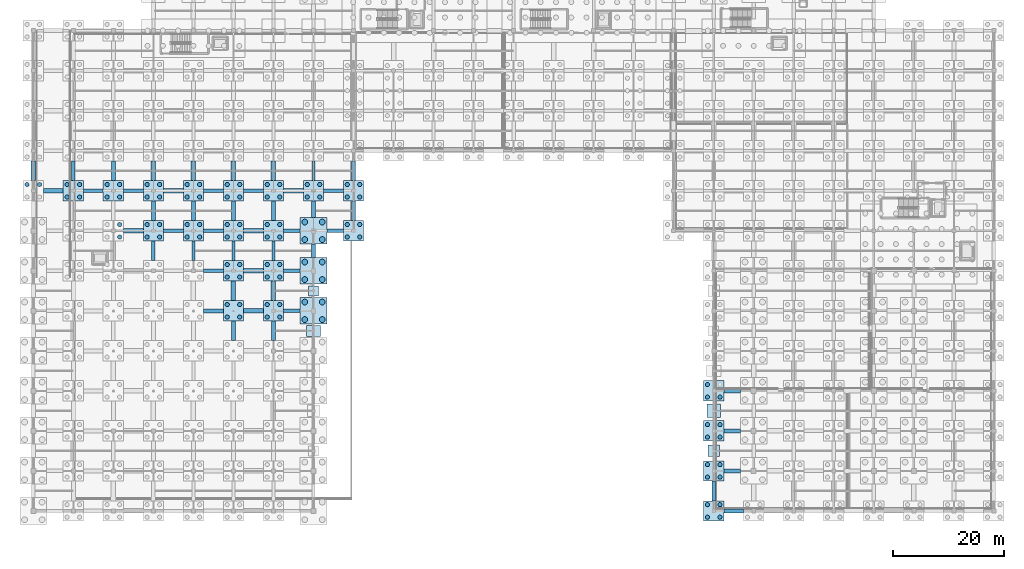
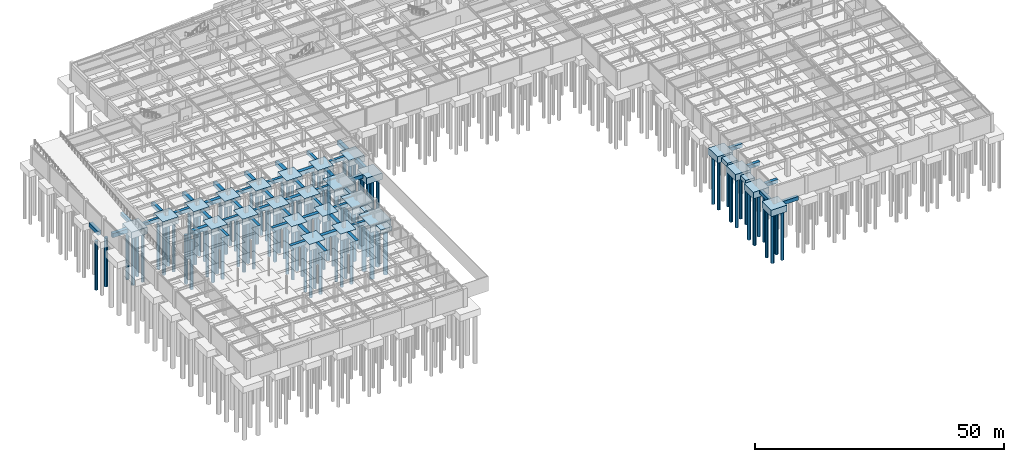
# One storey, part 3 of 48: 99 piles, 77 footings.
"""IFC4 building model written with IfcOpenShell, lengths in metres."""

from ifc_helpers import new_model, si_unit, direction, frame, origin, origin_2d, place, context, subcontext, project, spatial, rectangle, circle, extrude, material, material_profile, profile_set, type_object, element, save


model = new_model("IFC4")

# Units and contexts
model_context = context("Model", 3, precision=1e-05, world=origin(), true_north=direction((0.0, 1.0)))
body_context = subcontext(model_context, "Body", "Model", "MODEL_VIEW")
ifc_project = project(units=[si_unit("LENGTHUNIT", "METRE"), si_unit("AREAUNIT", "SQUARE_METRE"), si_unit("VOLUMEUNIT", "CUBIC_METRE"), si_unit("PLANEANGLEUNIT", "RADIAN"), si_unit("MASSUNIT", "GRAM", prefix="KILO")], contexts=[model_context])

# Site, building, storey
site_placement = place(None, origin())
site = spatial("IfcSite", under=ifc_project, at=site_placement, CompositionType="ELEMENT")
building_placement = place(site_placement, origin())
building = spatial("IfcBuilding", under=site, at=building_placement, Name="Carrowvane Square Congress Hotel", CompositionType="ELEMENT")
storey_placement = place(building_placement, frame((0.0, 0.0, -4.5)))
storey = spatial("IfcBuildingStorey", under=building, at=storey_placement, Name="B01", CompositionType="ELEMENT", Elevation=-4.5)

# Footings
ifc_material_1 = material(Name="Concrete C35/45", Category="concrete")
ifc_material_profile_1 = material_profile(ifc_material_1, rectangle(XDim=0.60009765625, YDim=0.800048828125, at=origin_2d()), Name="RC 600x800")
ifc_profile_set_1 = profile_set([ifc_material_profile_1], Name="Concrete C35/45")
footing_type_1 = type_object("IfcFootingType", Name="FTG-BM-600x800", PredefinedType="FOOTING_BEAM", material=ifc_profile_set_1)
for number, where, z_axis, x_axis, name in (
    (1, (18.800048828125, 64.824951171875, -0.39990234375), (0.0, 1.0, 0.0), (-1.0, 0.0, 0.0), "Ground tie beam 21"),
    (2, (33.199951171875, 50.425048828125, -0.39990234375), (0.0, 1.0, 0.0), (-1.0, 0.0, 0.0), "Ground tie beam 43"),
    (3, (40.39990234375, 50.425048828125, -0.39990234375), (0.0, 1.0, 0.0), (-1.0, 0.0, 0.0), "Ground tie beam 57"),
    (4, (47.60009765625, 50.425048828125, -0.39990234375), (0.0, 1.0, 0.0), (-1.0, 0.0, 0.0), "Ground tie beam 71"),
    (5, (54.800048828125, 50.425048828125, -0.39990234375), (0.0, 1.0, 0.0), (-1.0, 0.0, 0.0), "Ground tie beam 85"),
    (6, (62.0, 64.824951171875, -0.39990234375), (0.0, 1.0, 0.0), (-1.0, 0.0, 0.0), "Ground tie beam 96"),
):
    element("IfcFooting", number, at=place(storey_placement, frame(where, z_axis=z_axis, x_axis=x_axis)), inside=storey, type_object=footing_type_1, Name=name, PredefinedType="FOOTING_BEAM", context=body_context, shape_type="SweptSolid", body=[
        extrude(rectangle(XDim=0.60009765625, YDim=0.800048828125, at=origin_2d()), origin(), (0.0, 0.0, 1.0), 3.550048828125),
    ])
for number, where, z_axis, x_axis, name in (
    (7, (56.625, 41.39990234375, -0.39990234375), (1.0, 0.0, 0.0), (0.0, 1.0, 0.0), "Ground tie beam 320"),
    (8, (56.625, 48.60009765625, -0.39990234375), (1.0, 0.0, 0.0), (0.0, 1.0, 0.0), "Ground tie beam 334"),
):
    element("IfcFooting", number, at=place(storey_placement, frame(where, z_axis=z_axis, x_axis=x_axis)), inside=storey, type_object=footing_type_1, Name=name, PredefinedType="FOOTING_BEAM", context=body_context, shape_type="SweptSolid", body=[
        extrude(rectangle(XDim=0.60009765625, YDim=0.800048828125, at=origin_2d()), origin(), (0.0, 0.0, 1.0), 2.97509765625),
    ])
footing_1_placement = place(storey_placement, frame((35.02490234375, 55.800048828125, -0.39990234375), z_axis=(1.0, 0.0, 0.0), x_axis=(0.0, 1.0, 0.0)))
element("IfcFooting", 9, at=footing_1_placement, inside=storey, type_object=footing_type_1, Name="Ground tie beam 342", PredefinedType="FOOTING_BEAM", context=body_context, shape_type="SweptSolid", body=[
    extrude(rectangle(XDim=0.60009765625, YDim=0.800048828125, at=origin_2d()), origin(), (0.0, 0.0, 1.0), 3.550048828125),
])
footing_2_placement = place(storey_placement, frame((56.625, 55.800048828125, -0.39990234375), z_axis=(1.0, 0.0, 0.0), x_axis=(0.0, 1.0, 0.0)))
element("IfcFooting", 10, at=footing_2_placement, inside=storey, type_object=footing_type_1, Name="Ground tie beam 345", PredefinedType="FOOTING_BEAM", context=body_context, shape_type="SweptSolid", body=[
    extrude(rectangle(XDim=0.60009765625, YDim=0.800048828125, at=origin_2d()), origin(), (0.0, 0.0, 1.0), 2.97509765625),
])
footing_3_placement = place(storey_placement, frame((20.625, 63.0, -0.39990234375), z_axis=(1.0, 0.0, 0.0), x_axis=(0.0, 1.0, 0.0)))
element("IfcFooting", 11, at=footing_3_placement, inside=storey, type_object=footing_type_1, Name="Ground tie beam 353", PredefinedType="FOOTING_BEAM", context=body_context, shape_type="SweptSolid", body=[
    extrude(rectangle(XDim=0.60009765625, YDim=0.800048828125, at=origin_2d()), origin(), (0.0, 0.0, 1.0), 3.550048828125),
])
footing_4_placement = place(storey_placement, frame((42.22509765625, 63.0, -0.39990234375), z_axis=(1.0, 0.0, 0.0), x_axis=(0.0, 1.0, 0.0)))
element("IfcFooting", 12, at=footing_4_placement, inside=storey, type_object=footing_type_1, Name="Ground tie beam 356", PredefinedType="FOOTING_BEAM", context=body_context, shape_type="SweptSolid", body=[
    extrude(rectangle(XDim=0.60009765625, YDim=0.800048828125, at=origin_2d()), origin(), (0.0, 0.0, 1.0), 3.5498046875),
])
footing_5_placement = place(storey_placement, frame((63.824951171875, 63.0, -0.39990234375), z_axis=(1.0, 0.0, 0.0), x_axis=(0.0, 1.0, 0.0)))
element("IfcFooting", 13, at=footing_5_placement, inside=storey, type_object=footing_type_1, Name="Ground tie beam 359", PredefinedType="FOOTING_BEAM", context=body_context, shape_type="SweptSolid", body=[
    extrude(rectangle(XDim=0.60009765625, YDim=0.800048828125, at=origin_2d()), origin(), (0.0, 0.0, 1.0), 3.550048828125),
])
ifc_material_2 = material(Name="Concrete C35/45", Category="concrete")
ifc_material_profile_2 = material_profile(ifc_material_2, rectangle(XDim=0.699951171875, YDim=0.89990234375, at=origin_2d()), Name="RC 700x900")
ifc_profile_set_2 = profile_set([ifc_material_profile_2], Name="Concrete C35/45")
footing_type_2 = type_object("IfcFootingType", Name="FTG-BM-700x900", PredefinedType="FOOTING_BEAM", material=ifc_profile_set_2)
for number, where, z_axis, x_axis, name in (
    (14, (26.0, 64.824951171875, -0.449951171875), (0.0, 1.0, 0.0), (-1.0, 0.0, 0.0), "Ground tie beam 33"),
    (15, (33.199951171875, 57.625, -0.449951171875), (0.0, 1.0, 0.0), (-1.0, 0.0, 0.0), "Ground tie beam 44"),
    (16, (40.39990234375, 57.625, -0.449951171875), (0.0, 1.0, 0.0), (-1.0, 0.0, 0.0), "Ground tie beam 58"),
    (17, (47.60009765625, 36.02490234375, -0.449951171875), (0.0, 1.0, 0.0), (-1.0, 0.0, 0.0), "Ground tie beam 69"),
    (18, (47.60009765625, 57.625, -0.449951171875), (0.0, 1.0, 0.0), (-1.0, 0.0, 0.0), "Ground tie beam 72"),
    (19, (54.800048828125, 36.02490234375, -0.449951171875), (0.0, 1.0, 0.0), (-1.0, 0.0, 0.0), "Ground tie beam 83"),
    (20, (54.800048828125, 57.625, -0.449951171875), (0.0, 1.0, 0.0), (-1.0, 0.0, 0.0), "Ground tie beam 86"),
):
    element("IfcFooting", number, at=place(storey_placement, frame(where, z_axis=z_axis, x_axis=x_axis)), inside=storey, type_object=footing_type_2, Name=name, PredefinedType="FOOTING_BEAM", context=body_context, shape_type="SweptSolid", body=[
        extrude(rectangle(XDim=0.699951171875, YDim=0.89990234375, at=origin_2d()), origin(), (0.0, 0.0, 1.0), 3.550048828125),
    ])
footing_6_placement = place(storey_placement, frame((62.0, 51.0, -0.449951171875), z_axis=(0.0, 1.0, 0.0), x_axis=(-1.0, 0.0, 0.0)))
element("IfcFooting", 21, at=footing_6_placement, inside=storey, type_object=footing_type_2, Name="Ground tie beam 94", PredefinedType="FOOTING_BEAM", context=body_context, shape_type="SweptSolid", body=[
    extrude(rectangle(XDim=0.699951171875, YDim=0.89990234375, at=origin_2d()), origin(), (0.0, 0.0, 1.0), 2.39990234375),
])
footing_7_placement = place(storey_placement, frame((69.199951171875, 57.625, -0.449951171875), z_axis=(0.0, 1.0, 0.0), x_axis=(-1.0, 0.0, 0.0)))
element("IfcFooting", 22, at=footing_7_placement, inside=storey, type_object=footing_type_2, Name="Ground tie beam 102", PredefinedType="FOOTING_BEAM", context=body_context, shape_type="SweptSolid", body=[
    extrude(rectangle(XDim=0.699951171875, YDim=0.89990234375, at=origin_2d()), origin(), (0.0, 0.0, 1.0), 3.550048828125),
])
footing_8_placement = place(storey_placement, frame((134.0, 7.22509765625, -0.449951171875), z_axis=(0.0, 1.0, 0.0), x_axis=(-1.0, 0.0, 0.0)))
element("IfcFooting", 23, at=footing_8_placement, inside=storey, type_object=footing_type_2, Name="Ground tie beam 147", PredefinedType="FOOTING_BEAM", context=body_context, shape_type="SweptSolid", body=[
    extrude(rectangle(XDim=0.699951171875, YDim=0.89990234375, at=origin_2d()), origin(), (0.0, 0.0, 1.0), 3.5498046875),
])
footing_9_placement = place(storey_placement, frame((135.824951171875, 5.39990234375, -0.449951171875), z_axis=(1.0, 0.0, 0.0), x_axis=(0.0, 1.0, 0.0)))
element("IfcFooting", 24, at=footing_9_placement, inside=storey, type_object=footing_type_2, Name="Ground tie beam 251", PredefinedType="FOOTING_BEAM", context=body_context, shape_type="SweptSolid", body=[
    extrude(rectangle(XDim=0.699951171875, YDim=0.89990234375, at=origin_2d()), origin(), (0.0, 0.0, 1.0), 3.550048828125),
])
for number, where, z_axis, x_axis, name in (
    (25, (135.824951171875, 12.60009765625, -0.449951171875), (1.0, 0.0, 0.0), (0.0, 1.0, 0.0), "Ground tie beam 265"),
    (26, (135.824951171875, 19.800048828125, -0.449951171875), (1.0, 0.0, 0.0), (0.0, 1.0, 0.0), "Ground tie beam 279"),
    (27, (135.824951171875, 27.0, -0.449951171875), (1.0, 0.0, 0.0), (0.0, 1.0, 0.0), "Ground tie beam 293"),
):
    element("IfcFooting", number, at=place(storey_placement, frame(where, z_axis=z_axis, x_axis=x_axis)), inside=storey, type_object=footing_type_2, Name=name, PredefinedType="FOOTING_BEAM", context=body_context, shape_type="SweptSolid", body=[
        extrude(rectangle(XDim=0.699951171875, YDim=0.89990234375, at=origin_2d()), origin(), (0.0, 0.0, 1.0), 2.97509765625),
    ])
for number, where, z_axis, x_axis, name in (
    (28, (42.22509765625, 41.39990234375, -0.449951171875), (1.0, 0.0, 0.0), (0.0, 1.0, 0.0), "Ground tie beam 318"),
    (29, (42.22509765625, 48.60009765625, -0.449951171875), (1.0, 0.0, 0.0), (0.0, 1.0, 0.0), "Ground tie beam 332"),
    (30, (42.22509765625, 55.800048828125, -0.449951171875), (1.0, 0.0, 0.0), (0.0, 1.0, 0.0), "Ground tie beam 343"),
):
    element("IfcFooting", number, at=place(storey_placement, frame(where, z_axis=z_axis, x_axis=x_axis)), inside=storey, type_object=footing_type_2, Name=name, PredefinedType="FOOTING_BEAM", context=body_context, shape_type="SweptSolid", body=[
        extrude(rectangle(XDim=0.699951171875, YDim=0.89990234375, at=origin_2d()), origin(), (0.0, 0.0, 1.0), 3.5498046875),
    ])
footing_10_placement = place(storey_placement, frame((64.39990234375, 55.800048828125, -0.449951171875), z_axis=(1.0, 0.0, 0.0), x_axis=(0.0, 1.0, 0.0)))
element("IfcFooting", 31, at=footing_10_placement, inside=storey, type_object=footing_type_2, Name="Ground tie beam 346", PredefinedType="FOOTING_BEAM", context=body_context, shape_type="SweptSolid", body=[
    extrude(rectangle(XDim=0.699951171875, YDim=0.89990234375, at=origin_2d()), origin(), (0.0, 0.0, 1.0), 2.97509765625),
])
for number, where, z_axis, x_axis, name in (
    (32, (27.824951171875, 63.0, -0.449951171875), (1.0, 0.0, 0.0), (0.0, 1.0, 0.0), "Ground tie beam 354"),
    (33, (49.425048828125, 63.0, -0.449951171875), (1.0, 0.0, 0.0), (0.0, 1.0, 0.0), "Ground tie beam 357"),
):
    element("IfcFooting", number, at=place(storey_placement, frame(where, z_axis=z_axis, x_axis=x_axis)), inside=storey, type_object=footing_type_2, Name=name, PredefinedType="FOOTING_BEAM", context=body_context, shape_type="SweptSolid", body=[
        extrude(rectangle(XDim=0.699951171875, YDim=0.89990234375, at=origin_2d()), origin(), (0.0, 0.0, 1.0), 3.550048828125),
    ])
ifc_material_3 = material(Name="Concrete C35/45", Category="concrete")
ifc_material_profile_3 = material_profile(ifc_material_3, rectangle(XDim=0.800048828125, YDim=1.0, at=origin_2d()), Name="RC 800x1000")
ifc_profile_set_3 = profile_set([ifc_material_profile_3], Name="Concrete C35/45")
footing_type_3 = type_object("IfcFootingType", Name="FTG-BM-800x1000", PredefinedType="FOOTING_BEAM", material=ifc_profile_set_3)
for number, where, z_axis, x_axis, name in (
    (34, (11.60009765625, 64.824951171875, -0.5), (0.0, 1.0, 0.0), (-1.0, 0.0, 0.0), "Ground tie beam 9"),
    (35, (33.199951171875, 64.824951171875, -0.5), (0.0, 1.0, 0.0), (-1.0, 0.0, 0.0), "Ground tie beam 45"),
    (36, (40.39990234375, 64.824951171875, -0.5), (0.0, 1.0, 0.0), (-1.0, 0.0, 0.0), "Ground tie beam 59"),
):
    element("IfcFooting", number, at=place(storey_placement, frame(where, z_axis=z_axis, x_axis=x_axis)), inside=storey, type_object=footing_type_3, Name=name, PredefinedType="FOOTING_BEAM", context=body_context, shape_type="SweptSolid", body=[
        extrude(rectangle(XDim=0.800048828125, YDim=1.0, at=origin_2d()), origin(), (0.0, 0.0, 1.0), 3.550048828125),
    ])
footing_11_placement = place(storey_placement, frame((47.60009765625, 43.22509765625, -0.5), z_axis=(0.0, 1.0, 0.0), x_axis=(-1.0, 0.0, 0.0)))
element("IfcFooting", 37, at=footing_11_placement, inside=storey, type_object=footing_type_3, Name="Ground tie beam 70", PredefinedType="FOOTING_BEAM", context=body_context, shape_type="SweptSolid", body=[
    extrude(rectangle(XDim=0.800048828125, YDim=1.0, at=origin_2d()), origin(), (0.0, 0.0, 1.0), 3.5498046875),
])
footing_12_placement = place(storey_placement, frame((47.60009765625, 64.824951171875, -0.5), z_axis=(0.0, 1.0, 0.0), x_axis=(-1.0, 0.0, 0.0)))
element("IfcFooting", 38, at=footing_12_placement, inside=storey, type_object=footing_type_3, Name="Ground tie beam 73", PredefinedType="FOOTING_BEAM", context=body_context, shape_type="SweptSolid", body=[
    extrude(rectangle(XDim=0.800048828125, YDim=1.0, at=origin_2d()), origin(), (0.0, 0.0, 1.0), 3.550048828125),
])
footing_13_placement = place(storey_placement, frame((54.800048828125, 43.22509765625, -0.5), z_axis=(0.0, 1.0, 0.0), x_axis=(-1.0, 0.0, 0.0)))
element("IfcFooting", 39, at=footing_13_placement, inside=storey, type_object=footing_type_3, Name="Ground tie beam 84", PredefinedType="FOOTING_BEAM", context=body_context, shape_type="SweptSolid", body=[
    extrude(rectangle(XDim=0.800048828125, YDim=1.0, at=origin_2d()), origin(), (0.0, 0.0, 1.0), 3.5498046875),
])
footing_14_placement = place(storey_placement, frame((54.800048828125, 64.824951171875, -0.5), z_axis=(0.0, 1.0, 0.0), x_axis=(-1.0, 0.0, 0.0)))
element("IfcFooting", 40, at=footing_14_placement, inside=storey, type_object=footing_type_3, Name="Ground tie beam 87", PredefinedType="FOOTING_BEAM", context=body_context, shape_type="SweptSolid", body=[
    extrude(rectangle(XDim=0.800048828125, YDim=1.0, at=origin_2d()), origin(), (0.0, 0.0, 1.0), 3.550048828125),
])
footing_15_placement = place(storey_placement, frame((62.0, 58.199951171875, -0.5), z_axis=(0.0, 1.0, 0.0), x_axis=(-1.0, 0.0, 0.0)))
element("IfcFooting", 41, at=footing_15_placement, inside=storey, type_object=footing_type_3, Name="Ground tie beam 95", PredefinedType="FOOTING_BEAM", context=body_context, shape_type="SweptSolid", body=[
    extrude(rectangle(XDim=0.800048828125, YDim=1.0, at=origin_2d()), origin(), (0.0, 0.0, 1.0), 2.97509765625),
])
for number, where, z_axis, x_axis, name in (
    (42, (69.199951171875, 64.824951171875, -0.5), (0.0, 1.0, 0.0), (-1.0, 0.0, 0.0), "Ground tie beam 103"),
    (43, (49.425048828125, 41.39990234375, -0.5), (1.0, 0.0, 0.0), (0.0, 1.0, 0.0), "Ground tie beam 319"),
    (44, (49.425048828125, 48.60009765625, -0.5), (1.0, 0.0, 0.0), (0.0, 1.0, 0.0), "Ground tie beam 333"),
    (45, (27.824951171875, 55.800048828125, -0.5), (1.0, 0.0, 0.0), (0.0, 1.0, 0.0), "Ground tie beam 341"),
    (46, (49.425048828125, 55.800048828125, -0.5), (1.0, 0.0, 0.0), (0.0, 1.0, 0.0), "Ground tie beam 344"),
    (47, (13.425048828125, 63.0, -0.5), (1.0, 0.0, 0.0), (0.0, 1.0, 0.0), "Ground tie beam 352"),
    (48, (35.02490234375, 63.0, -0.5), (1.0, 0.0, 0.0), (0.0, 1.0, 0.0), "Ground tie beam 355"),
    (49, (56.625, 63.0, -0.5), (1.0, 0.0, 0.0), (0.0, 1.0, 0.0), "Ground tie beam 358"),
):
    element("IfcFooting", number, at=place(storey_placement, frame(where, z_axis=z_axis, x_axis=x_axis)), inside=storey, type_object=footing_type_3, Name=name, PredefinedType="FOOTING_BEAM", context=body_context, shape_type="SweptSolid", body=[
        extrude(rectangle(XDim=0.800048828125, YDim=1.0, at=origin_2d()), origin(), (0.0, 0.0, 1.0), 3.550048828125),
    ])
ifc_material_4 = material(Name="Concrete C35/45", Category="concrete")
footing_type_4 = type_object("IfcFootingType", Name="FTG-PAD-1800", PredefinedType="PAD_FOOTING", material=ifc_material_4)
footing_16_placement = place(storey_placement, frame((62.0, 45.0, -0.89990234375), z_axis=(0.0, 0.0, 1.0), x_axis=(1.0, 0.0, 0.0)))
element("IfcFooting", 50, at=footing_16_placement, inside=storey, type_object=footing_type_4, Name="Colonnade pad footing 5", PredefinedType="PAD_FOOTING", context=body_context, shape_type="SweptSolid", body=[
    extrude(rectangle(XDim=1.800048828125, YDim=1.800048828125, at=origin_2d()), origin(), (0.0, 0.0, 1.0), 0.89990234375),
])
ifc_material_5 = material(Name="Concrete C35/45", Category="concrete")
footing_type_5 = type_object("IfcFootingType", Name="FTG-PAD-2100", PredefinedType="PAD_FOOTING", material=ifc_material_5)
footing_17_placement = place(storey_placement, frame((134.0, 16.199951171875, -1.0), z_axis=(0.0, 0.0, 1.0), x_axis=(1.0, 0.0, 0.0)))
element("IfcFooting", 51, at=footing_17_placement, inside=storey, type_object=footing_type_5, Name="Colonnade pad footing 6", PredefinedType="PAD_FOOTING", context=body_context, shape_type="SweptSolid", body=[
    extrude(rectangle(XDim=2.10009765625, YDim=2.10009765625, at=origin_2d()), origin(), (0.0, 0.0, 1.0), 1.0),
])
ifc_material_6 = material(Name="Concrete C35/45", Category="concrete")
footing_type_6 = type_object("IfcFootingType", Name="FTG-PAD-2400", PredefinedType="PAD_FOOTING", material=ifc_material_6)
footing_18_placement = place(storey_placement, frame((134.0, 23.39990234375, -1.10009765625), z_axis=(0.0, 0.0, 1.0), x_axis=(1.0, 0.0, 0.0)))
element("IfcFooting", 52, at=footing_18_placement, inside=storey, type_object=footing_type_6, Name="Colonnade pad footing 7", PredefinedType="PAD_FOOTING", context=body_context, shape_type="SweptSolid", body=[
    extrude(rectangle(XDim=2.39990234375, YDim=2.39990234375, at=origin_2d()), origin(), (0.0, 0.0, 1.0), 1.10009765625),
])
ifc_material_7 = material(Name="Concrete C35/45", Category="concrete")
footing_type_7 = type_object("IfcFootingType", Name="FTG-PAD-2600x2000", PredefinedType="PAD_FOOTING", material=ifc_material_7)
footing_19_placement = place(storey_placement, frame((62.0, 37.800048828125, -1.0), z_axis=(0.0, 0.0, 1.0), x_axis=(1.0, 0.0, 0.0)))
element("IfcFooting", 53, at=footing_19_placement, inside=storey, type_object=footing_type_7, Name="Colonnade pad footing 4", PredefinedType="PAD_FOOTING", context=body_context, shape_type="SweptSolid", body=[
    extrude(rectangle(XDim=2.60009765625, YDim=2.0, at=origin_2d()), origin(), (0.0, 0.0, 1.0), 1.0),
])
ifc_material_8 = material(Name="Concrete C35/45", Category="concrete")
footing_type_8 = type_object("IfcFootingType", Name="FTG-PC-01", PredefinedType="PILE_CAP", material=ifc_material_8)
for number, where, z_axis, x_axis, name in (
    (54, (62.0, 41.39990234375, -1.60009765625), (0.0, 0.0, 1.0), (1.0, 0.0, 0.0), "B01 PC-1 82"),
    (55, (62.0, 48.60009765625, -1.60009765625), (0.0, 0.0, 1.0), (1.0, 0.0, 0.0), "B01 PC-1 98"),
    (56, (62.0, 55.800048828125, -1.60009765625), (0.0, 0.0, 1.0), (1.0, 0.0, 0.0), "B01 PC-1 112"),
):
    element("IfcFooting", number, at=place(storey_placement, frame(where, z_axis=z_axis, x_axis=x_axis)), inside=storey, type_object=footing_type_8, Name=name, PredefinedType="PILE_CAP", context=body_context, shape_type="SweptSolid", body=[
        extrude(rectangle(XDim=4.800048828125, YDim=4.800048828125, at=origin_2d()), origin(), (0.0, 0.0, 1.0), 1.60009765625),
    ])
ifc_material_9 = material(Name="Concrete C35/45", Category="concrete")
footing_type_9 = type_object("IfcFootingType", Name="FTG-PC-02", PredefinedType="PILE_CAP", material=ifc_material_9)
for number, where, z_axis, x_axis, name in (
    (57, (134.0, 5.39990234375, -1.60009765625), (0.0, 0.0, 1.0), (1.0, 0.0, 0.0), "B01 PC-2 9"),
    (58, (134.0, 12.60009765625, -1.60009765625), (0.0, 0.0, 1.0), (1.0, 0.0, 0.0), "B01 PC-2 28"),
    (59, (134.0, 19.800048828125, -1.60009765625), (0.0, 0.0, 1.0), (1.0, 0.0, 0.0), "B01 PC-2 44"),
    (60, (134.0, 27.0, -1.60009765625), (0.0, 0.0, 1.0), (1.0, 0.0, 0.0), "B01 PC-2 60"),
    (61, (47.60009765625, 41.39990234375, -1.60009765625), (0.0, 0.0, 1.0), (1.0, 0.0, 0.0), "B01 PC-2 90"),
    (62, (54.800048828125, 41.39990234375, -1.60009765625), (0.0, 0.0, 1.0), (1.0, 0.0, 0.0), "B01 PC-2 91"),
    (63, (47.60009765625, 48.60009765625, -1.60009765625), (0.0, 0.0, 1.0), (1.0, 0.0, 0.0), "B01 PC-2 105"),
    (64, (54.800048828125, 48.60009765625, -1.60009765625), (0.0, 0.0, 1.0), (1.0, 0.0, 0.0), "B01 PC-2 106"),
    (65, (33.199951171875, 55.800048828125, -1.60009765625), (0.0, 0.0, 1.0), (1.0, 0.0, 0.0), "B01 PC-2 115"),
    (66, (40.39990234375, 55.800048828125, -1.60009765625), (0.0, 0.0, 1.0), (1.0, 0.0, 0.0), "B01 PC-2 116"),
    (67, (47.60009765625, 55.800048828125, -1.60009765625), (0.0, 0.0, 1.0), (1.0, 0.0, 0.0), "B01 PC-2 117"),
    (68, (54.800048828125, 55.800048828125, -1.60009765625), (0.0, 0.0, 1.0), (1.0, 0.0, 0.0), "B01 PC-2 118"),
    (69, (69.199951171875, 55.800048828125, -1.60009765625), (0.0, 0.0, 1.0), (1.0, 0.0, 0.0), "B01 PC-2 119"),
    (70, (18.800048828125, 63.0, -1.60009765625), (0.0, 0.0, 1.0), (1.0, 0.0, 0.0), "B01 PC-2 127"),
    (71, (26.0, 63.0, -1.60009765625), (0.0, 0.0, 1.0), (1.0, 0.0, 0.0), "B01 PC-2 128"),
    (72, (33.199951171875, 63.0, -1.60009765625), (0.0, 0.0, 1.0), (1.0, 0.0, 0.0), "B01 PC-2 129"),
    (73, (40.39990234375, 63.0, -1.60009765625), (0.0, 0.0, 1.0), (1.0, 0.0, 0.0), "B01 PC-2 130"),
    (74, (47.60009765625, 63.0, -1.60009765625), (0.0, 0.0, 1.0), (1.0, 0.0, 0.0), "B01 PC-2 131"),
    (75, (54.800048828125, 63.0, -1.60009765625), (0.0, 0.0, 1.0), (1.0, 0.0, 0.0), "B01 PC-2 132"),
    (76, (62.0, 63.0, -1.60009765625), (0.0, 0.0, 1.0), (1.0, 0.0, 0.0), "B01 PC-2 133"),
    (77, (69.199951171875, 63.0, -1.60009765625), (0.0, 0.0, 1.0), (1.0, 0.0, 0.0), "B01 PC-2 134"),
):
    element("IfcFooting", number, at=place(storey_placement, frame(where, z_axis=z_axis, x_axis=x_axis)), inside=storey, type_object=footing_type_9, Name=name, PredefinedType="PILE_CAP", context=body_context, shape_type="SweptSolid", body=[
        extrude(rectangle(XDim=3.64990234375, YDim=3.64990234375, at=origin_2d()), origin(), (0.0, 0.0, 1.0), 1.60009765625),
    ])

# Piles
ifc_material_10 = material(Name="Concrete C35/45", Category="concrete")
ifc_material_profile_4 = material_profile(ifc_material_10, circle(Radius=0.52490234375, at=origin_2d()), Name="PILE D1050")
ifc_profile_set_4 = profile_set([ifc_material_profile_4], Name="Concrete C35/45")
pile_type_1 = type_object("IfcPileType", Name="PILE-B-1050", PredefinedType="BORED", material=ifc_profile_set_4)
for number, where, z_axis, x_axis, name in (
    (78, (60.425048828125, 39.824951171875, -1.5), (0.0, 0.0, -1.0), (1.0, 0.0, 0.0), "Bored pile P-3-0325"),
    (79, (60.425048828125, 42.97509765625, -1.5), (0.0, 0.0, -1.0), (1.0, 0.0, 0.0), "Bored pile P-3-0326"),
    (80, (63.574951171875, 39.824951171875, -1.5), (0.0, 0.0, -1.0), (1.0, 0.0, 0.0), "Bored pile P-3-0327"),
    (81, (63.574951171875, 42.97509765625, -1.5), (0.0, 0.0, -1.0), (1.0, 0.0, 0.0), "Bored pile P-3-0328"),
    (82, (60.425048828125, 47.02490234375, -1.5), (0.0, 0.0, -1.0), (1.0, 0.0, 0.0), "Bored pile P-3-0389"),
    (83, (60.425048828125, 50.175048828125, -1.5), (0.0, 0.0, -1.0), (1.0, 0.0, 0.0), "Bored pile P-3-0390"),
    (84, (63.574951171875, 47.02490234375, -1.5), (0.0, 0.0, -1.0), (1.0, 0.0, 0.0), "Bored pile P-3-0391"),
    (85, (63.574951171875, 50.175048828125, -1.5), (0.0, 0.0, -1.0), (1.0, 0.0, 0.0), "Bored pile P-3-0392"),
    (86, (60.425048828125, 54.22509765625, -1.5), (0.0, 0.0, -1.0), (1.0, 0.0, 0.0), "Bored pile P-3-0481"),
    (87, (60.425048828125, 57.375, -1.5), (0.0, 0.0, -1.0), (1.0, 0.0, 0.0), "Bored pile P-3-0482"),
    (88, (63.574951171875, 54.22509765625, -1.5), (0.0, 0.0, -1.0), (1.0, 0.0, 0.0), "Bored pile P-3-0483"),
    (89, (63.574951171875, 57.375, -1.5), (0.0, 0.0, -1.0), (1.0, 0.0, 0.0), "Bored pile P-3-0484"),
):
    element("IfcPile", number, at=place(storey_placement, frame(where, z_axis=z_axis, x_axis=x_axis)), inside=storey, type_object=pile_type_1, Name=name, PredefinedType="BORED", context=body_context, shape_type="SweptSolid", body=[
        extrude(circle(Radius=0.52490234375, at=origin_2d()), origin(), (0.0, 0.0, 1.0), 12.0),
    ])
ifc_material_11 = material(Name="Concrete C35/45", Category="concrete")
ifc_material_profile_5 = material_profile(ifc_material_11, circle(Radius=0.375, at=origin_2d()), Name="PILE D750")
ifc_profile_set_5 = profile_set([ifc_material_profile_5], Name="Concrete C35/45")
pile_type_2 = type_object("IfcPileType", Name="PILE-B-750", PredefinedType="BORED", material=ifc_profile_set_5)
for number, where, z_axis, x_axis, name in (
    (90, (132.875, 4.27490234375, -1.5), (0.0, 0.0, -1.0), (1.0, 0.0, 0.0), "Bored pile P-1-0033"),
    (91, (132.875, 6.52490234375, -1.5), (0.0, 0.0, -1.0), (1.0, 0.0, 0.0), "Bored pile P-1-0034"),
    (92, (135.125, 4.27490234375, -1.5), (0.0, 0.0, -1.0), (1.0, 0.0, 0.0), "Bored pile P-1-0035"),
    (93, (135.125, 6.52490234375, -1.5), (0.0, 0.0, -1.0), (1.0, 0.0, 0.0), "Bored pile P-1-0036"),
    (94, (132.875, 11.47509765625, -1.5), (0.0, 0.0, -1.0), (1.0, 0.0, 0.0), "Bored pile P-1-0109"),
    (95, (132.875, 13.72509765625, -1.5), (0.0, 0.0, -1.0), (1.0, 0.0, 0.0), "Bored pile P-1-0110"),
    (96, (135.125, 11.47509765625, -1.5), (0.0, 0.0, -1.0), (1.0, 0.0, 0.0), "Bored pile P-1-0111"),
    (97, (135.125, 13.72509765625, -1.5), (0.0, 0.0, -1.0), (1.0, 0.0, 0.0), "Bored pile P-1-0112"),
    (98, (132.875, 18.675048828125, -1.5), (0.0, 0.0, -1.0), (1.0, 0.0, 0.0), "Bored pile P-1-0173"),
    (99, (132.875, 20.925048828125, -1.5), (0.0, 0.0, -1.0), (1.0, 0.0, 0.0), "Bored pile P-1-0174"),
    (100, (135.125, 18.675048828125, -1.5), (0.0, 0.0, -1.0), (1.0, 0.0, 0.0), "Bored pile P-1-0175"),
    (101, (135.125, 20.925048828125, -1.5), (0.0, 0.0, -1.0), (1.0, 0.0, 0.0), "Bored pile P-1-0176"),
    (102, (132.875, 25.875, -1.5), (0.0, 0.0, -1.0), (1.0, 0.0, 0.0), "Bored pile P-1-0237"),
    (103, (132.875, 28.125, -1.5), (0.0, 0.0, -1.0), (1.0, 0.0, 0.0), "Bored pile P-1-0238"),
    (104, (135.125, 25.875, -1.5), (0.0, 0.0, -1.0), (1.0, 0.0, 0.0), "Bored pile P-1-0239"),
    (105, (46.47509765625, 40.27490234375, -1.5), (0.0, 0.0, -1.0), (1.0, 0.0, 0.0), "Bored pile P-1-0357"),
    (106, (46.47509765625, 42.52490234375, -1.5), (0.0, 0.0, -1.0), (1.0, 0.0, 0.0), "Bored pile P-1-0358"),
    (107, (48.72509765625, 40.27490234375, -1.5), (0.0, 0.0, -1.0), (1.0, 0.0, 0.0), "Bored pile P-1-0359"),
    (108, (48.72509765625, 42.52490234375, -1.5), (0.0, 0.0, -1.0), (1.0, 0.0, 0.0), "Bored pile P-1-0360"),
    (109, (53.675048828125, 40.27490234375, -1.5), (0.0, 0.0, -1.0), (1.0, 0.0, 0.0), "Bored pile P-1-0361"),
    (110, (53.675048828125, 42.52490234375, -1.5), (0.0, 0.0, -1.0), (1.0, 0.0, 0.0), "Bored pile P-1-0362"),
    (111, (55.925048828125, 40.27490234375, -1.5), (0.0, 0.0, -1.0), (1.0, 0.0, 0.0), "Bored pile P-1-0363"),
    (112, (55.925048828125, 42.52490234375, -1.5), (0.0, 0.0, -1.0), (1.0, 0.0, 0.0), "Bored pile P-1-0364"),
    (113, (46.47509765625, 47.47509765625, -1.5), (0.0, 0.0, -1.0), (1.0, 0.0, 0.0), "Bored pile P-1-0453"),
    (114, (46.47509765625, 49.72509765625, -1.5), (0.0, 0.0, -1.0), (1.0, 0.0, 0.0), "Bored pile P-1-0454"),
    (115, (48.72509765625, 47.47509765625, -1.5), (0.0, 0.0, -1.0), (1.0, 0.0, 0.0), "Bored pile P-1-0455"),
    (116, (48.72509765625, 49.72509765625, -1.5), (0.0, 0.0, -1.0), (1.0, 0.0, 0.0), "Bored pile P-1-0456"),
    (117, (53.675048828125, 47.47509765625, -1.5), (0.0, 0.0, -1.0), (1.0, 0.0, 0.0), "Bored pile P-1-0457"),
    (118, (53.675048828125, 49.72509765625, -1.5), (0.0, 0.0, -1.0), (1.0, 0.0, 0.0), "Bored pile P-1-0458"),
    (119, (55.925048828125, 47.47509765625, -1.5), (0.0, 0.0, -1.0), (1.0, 0.0, 0.0), "Bored pile P-1-0459"),
    (120, (55.925048828125, 49.72509765625, -1.5), (0.0, 0.0, -1.0), (1.0, 0.0, 0.0), "Bored pile P-1-0460"),
    (121, (27.125, 54.675048828125, -1.5), (0.0, 0.0, -1.0), (1.0, 0.0, 0.0), "Bored pile P-1-0491"),
    (122, (27.125, 56.925048828125, -1.5), (0.0, 0.0, -1.0), (1.0, 0.0, 0.0), "Bored pile P-1-0492"),
    (123, (32.074951171875, 54.675048828125, -1.5), (0.0, 0.0, -1.0), (1.0, 0.0, 0.0), "Bored pile P-1-0493"),
    (124, (32.074951171875, 56.925048828125, -1.5), (0.0, 0.0, -1.0), (1.0, 0.0, 0.0), "Bored pile P-1-0494"),
    (125, (34.324951171875, 54.675048828125, -1.5), (0.0, 0.0, -1.0), (1.0, 0.0, 0.0), "Bored pile P-1-0495"),
    (126, (34.324951171875, 56.925048828125, -1.5), (0.0, 0.0, -1.0), (1.0, 0.0, 0.0), "Bored pile P-1-0496"),
    (127, (39.27490234375, 54.675048828125, -1.5), (0.0, 0.0, -1.0), (1.0, 0.0, 0.0), "Bored pile P-1-0497"),
    (128, (39.27490234375, 56.925048828125, -1.5), (0.0, 0.0, -1.0), (1.0, 0.0, 0.0), "Bored pile P-1-0498"),
    (129, (41.52490234375, 54.675048828125, -1.5), (0.0, 0.0, -1.0), (1.0, 0.0, 0.0), "Bored pile P-1-0499"),
    (130, (41.52490234375, 56.925048828125, -1.5), (0.0, 0.0, -1.0), (1.0, 0.0, 0.0), "Bored pile P-1-0500"),
    (131, (46.47509765625, 54.675048828125, -1.5), (0.0, 0.0, -1.0), (1.0, 0.0, 0.0), "Bored pile P-1-0501"),
    (132, (46.47509765625, 56.925048828125, -1.5), (0.0, 0.0, -1.0), (1.0, 0.0, 0.0), "Bored pile P-1-0502"),
    (133, (48.72509765625, 54.675048828125, -1.5), (0.0, 0.0, -1.0), (1.0, 0.0, 0.0), "Bored pile P-1-0503"),
    (134, (48.72509765625, 56.925048828125, -1.5), (0.0, 0.0, -1.0), (1.0, 0.0, 0.0), "Bored pile P-1-0504"),
    (135, (53.675048828125, 54.675048828125, -1.5), (0.0, 0.0, -1.0), (1.0, 0.0, 0.0), "Bored pile P-1-0505"),
    (136, (53.675048828125, 56.925048828125, -1.5), (0.0, 0.0, -1.0), (1.0, 0.0, 0.0), "Bored pile P-1-0506"),
    (137, (55.925048828125, 54.675048828125, -1.5), (0.0, 0.0, -1.0), (1.0, 0.0, 0.0), "Bored pile P-1-0507"),
    (138, (55.925048828125, 56.925048828125, -1.5), (0.0, 0.0, -1.0), (1.0, 0.0, 0.0), "Bored pile P-1-0508"),
    (139, (68.074951171875, 54.675048828125, -1.5), (0.0, 0.0, -1.0), (1.0, 0.0, 0.0), "Bored pile P-1-0509"),
    (140, (68.074951171875, 56.925048828125, -1.5), (0.0, 0.0, -1.0), (1.0, 0.0, 0.0), "Bored pile P-1-0510"),
    (141, (70.324951171875, 54.675048828125, -1.5), (0.0, 0.0, -1.0), (1.0, 0.0, 0.0), "Bored pile P-1-0511"),
    (142, (70.324951171875, 56.925048828125, -1.5), (0.0, 0.0, -1.0), (1.0, 0.0, 0.0), "Bored pile P-1-0512"),
    (143, (10.47509765625, 64.125, -1.5), (0.0, 0.0, -1.0), (1.0, 0.0, 0.0), "Bored pile P-1-0538"),
    (144, (12.72509765625, 64.125, -1.5), (0.0, 0.0, -1.0), (1.0, 0.0, 0.0), "Bored pile P-1-0540"),
    (145, (17.675048828125, 61.875, -1.5), (0.0, 0.0, -1.0), (1.0, 0.0, 0.0), "Bored pile P-1-0541"),
    (146, (17.675048828125, 64.125, -1.5), (0.0, 0.0, -1.0), (1.0, 0.0, 0.0), "Bored pile P-1-0542"),
    (147, (19.925048828125, 61.875, -1.5), (0.0, 0.0, -1.0), (1.0, 0.0, 0.0), "Bored pile P-1-0543"),
    (148, (19.925048828125, 64.125, -1.5), (0.0, 0.0, -1.0), (1.0, 0.0, 0.0), "Bored pile P-1-0544"),
    (149, (24.875, 61.875, -1.5), (0.0, 0.0, -1.0), (1.0, 0.0, 0.0), "Bored pile P-1-0545"),
    (150, (24.875, 64.125, -1.5), (0.0, 0.0, -1.0), (1.0, 0.0, 0.0), "Bored pile P-1-0546"),
    (151, (27.125, 61.875, -1.5), (0.0, 0.0, -1.0), (1.0, 0.0, 0.0), "Bored pile P-1-0547"),
    (152, (27.125, 64.125, -1.5), (0.0, 0.0, -1.0), (1.0, 0.0, 0.0), "Bored pile P-1-0548"),
    (153, (32.074951171875, 61.875, -1.5), (0.0, 0.0, -1.0), (1.0, 0.0, 0.0), "Bored pile P-1-0549"),
    (154, (32.074951171875, 64.125, -1.5), (0.0, 0.0, -1.0), (1.0, 0.0, 0.0), "Bored pile P-1-0550"),
    (155, (34.324951171875, 61.875, -1.5), (0.0, 0.0, -1.0), (1.0, 0.0, 0.0), "Bored pile P-1-0551"),
    (156, (34.324951171875, 64.125, -1.5), (0.0, 0.0, -1.0), (1.0, 0.0, 0.0), "Bored pile P-1-0552"),
    (157, (39.27490234375, 61.875, -1.5), (0.0, 0.0, -1.0), (1.0, 0.0, 0.0), "Bored pile P-1-0553"),
    (158, (39.27490234375, 64.125, -1.5), (0.0, 0.0, -1.0), (1.0, 0.0, 0.0), "Bored pile P-1-0554"),
    (159, (41.52490234375, 61.875, -1.5), (0.0, 0.0, -1.0), (1.0, 0.0, 0.0), "Bored pile P-1-0555"),
    (160, (41.52490234375, 64.125, -1.5), (0.0, 0.0, -1.0), (1.0, 0.0, 0.0), "Bored pile P-1-0556"),
    (161, (46.47509765625, 61.875, -1.5), (0.0, 0.0, -1.0), (1.0, 0.0, 0.0), "Bored pile P-1-0557"),
    (162, (46.47509765625, 64.125, -1.5), (0.0, 0.0, -1.0), (1.0, 0.0, 0.0), "Bored pile P-1-0558"),
    (163, (48.72509765625, 61.875, -1.5), (0.0, 0.0, -1.0), (1.0, 0.0, 0.0), "Bored pile P-1-0559"),
    (164, (48.72509765625, 64.125, -1.5), (0.0, 0.0, -1.0), (1.0, 0.0, 0.0), "Bored pile P-1-0560"),
    (165, (53.675048828125, 61.875, -1.5), (0.0, 0.0, -1.0), (1.0, 0.0, 0.0), "Bored pile P-1-0561"),
    (166, (53.675048828125, 64.125, -1.5), (0.0, 0.0, -1.0), (1.0, 0.0, 0.0), "Bored pile P-1-0562"),
    (167, (55.925048828125, 61.875, -1.5), (0.0, 0.0, -1.0), (1.0, 0.0, 0.0), "Bored pile P-1-0563"),
    (168, (55.925048828125, 64.125, -1.5), (0.0, 0.0, -1.0), (1.0, 0.0, 0.0), "Bored pile P-1-0564"),
    (169, (60.875, 61.875, -1.5), (0.0, 0.0, -1.0), (1.0, 0.0, 0.0), "Bored pile P-1-0565"),
    (170, (60.875, 64.125, -1.5), (0.0, 0.0, -1.0), (1.0, 0.0, 0.0), "Bored pile P-1-0566"),
    (171, (63.125, 61.875, -1.5), (0.0, 0.0, -1.0), (1.0, 0.0, 0.0), "Bored pile P-1-0567"),
    (172, (63.125, 64.125, -1.5), (0.0, 0.0, -1.0), (1.0, 0.0, 0.0), "Bored pile P-1-0568"),
    (173, (68.074951171875, 61.875, -1.5), (0.0, 0.0, -1.0), (1.0, 0.0, 0.0), "Bored pile P-1-0569"),
    (174, (68.074951171875, 64.125, -1.5), (0.0, 0.0, -1.0), (1.0, 0.0, 0.0), "Bored pile P-1-0570"),
    (175, (70.324951171875, 61.875, -1.5), (0.0, 0.0, -1.0), (1.0, 0.0, 0.0), "Bored pile P-1-0571"),
    (176, (70.324951171875, 64.125, -1.5), (0.0, 0.0, -1.0), (1.0, 0.0, 0.0), "Bored pile P-1-0572"),
):
    element("IfcPile", number, at=place(storey_placement, frame(where, z_axis=z_axis, x_axis=x_axis)), inside=storey, type_object=pile_type_2, Name=name, PredefinedType="BORED", context=body_context, shape_type="SweptSolid", body=[
        extrude(circle(Radius=0.375, at=origin_2d()), origin(), (0.0, 0.0, 1.0), 12.0),
    ])

save(model, "model.ifc")
